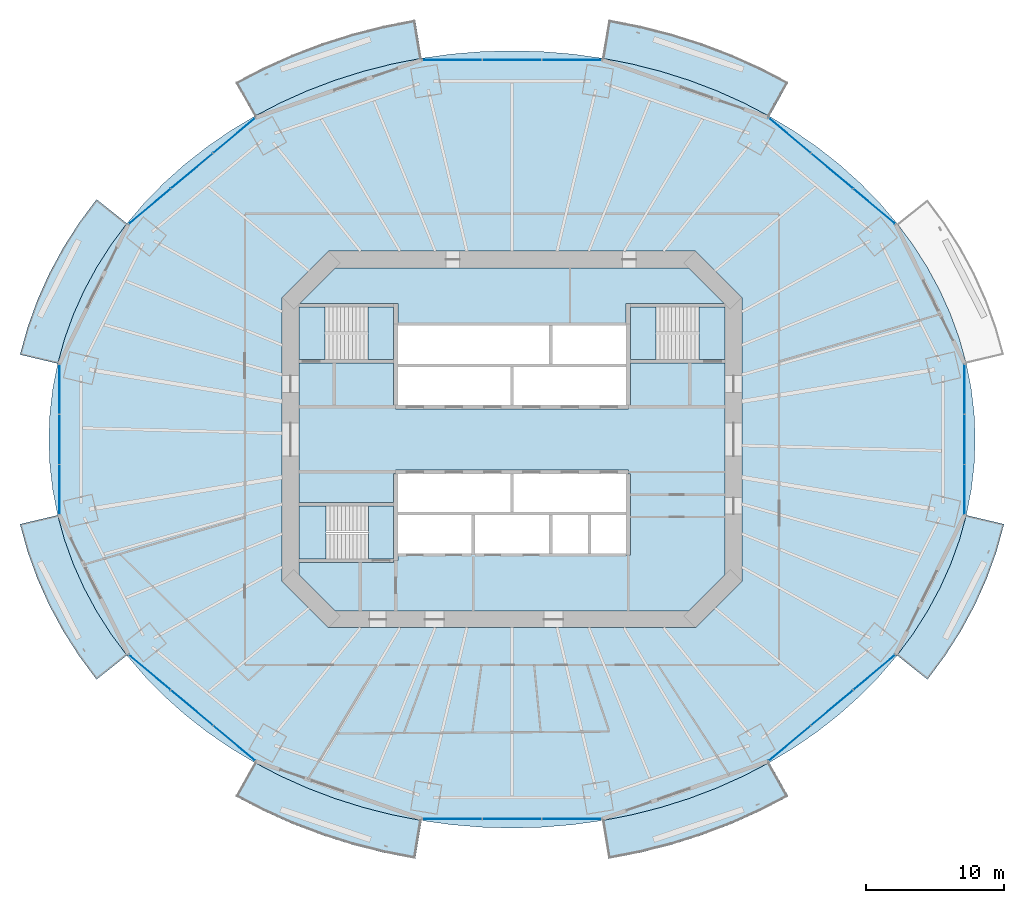
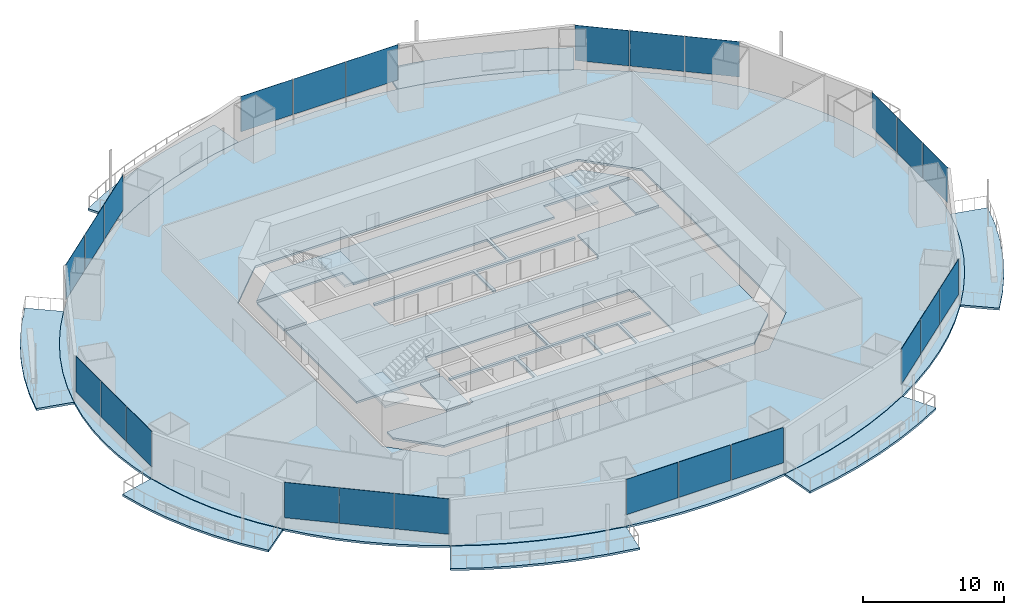
# One storey, part 11 of 20: 24 plates, 16 slabs, 11 elements without a shape of their own.
"""IFC4 building model written with IfcOpenShell, lengths in metres."""

from ifc_helpers import new_model, si_unit, direction, frame, origin, origin_2d, place, context, subcontext, project, spatial, polyline, rectangle, outline, extrude, material, layer, layer_set, type_object, element, aggregate, save


model = new_model("IFC4")

# Units and contexts
model_context = context("Model", 3, precision=1e-05, world=origin(), true_north=direction((0.0, 1.0)))
body_context = subcontext(model_context, "Body", "Model", "MODEL_VIEW")
ifc_project = project(units=[si_unit("LENGTHUNIT", "METRE"), si_unit("AREAUNIT", "SQUARE_METRE"), si_unit("VOLUMEUNIT", "CUBIC_METRE"), si_unit("PLANEANGLEUNIT", "RADIAN"), si_unit("MASSUNIT", "GRAM", prefix="KILO")], contexts=[model_context])

# Site, building, storey
site_placement = place(None, origin())
site = spatial("IfcSite", under=ifc_project, at=site_placement, CompositionType="ELEMENT")
building_placement = place(site_placement, origin())
building = spatial("IfcBuilding", under=site, at=building_placement, Name="Marenthal Gate Tower", CompositionType="ELEMENT")
storey_placement = place(building_placement, frame((0.0, 0.0, 132.60009765625)))
storey = spatial("IfcBuildingStorey", under=building, at=storey_placement, Name="L28", CompositionType="ELEMENT", Elevation=132.60009765625)

# Slabs
ifc_material_1 = material(Name="Concrete 40 MPa", Category="concrete")
ifc_layer_1 = layer(ifc_material_1, 0.179931640625)
ifc_layer_set_1 = layer_set([ifc_layer_1], Name="Balcony deck 180")
slab_type_1 = type_object("IfcSlabType", Name="Balcony deck 180", PredefinedType="USERDEFINED", material=ifc_layer_set_1)
slab_1_placement = place(storey_placement, frame((0.0, 0.0, -0.22021484375)))
element("IfcSlab", 1, at=slab_1_placement, inside=storey, type_object=slab_type_1, Name="Balcony deck L28 bay 3", ObjectType="BALCONY", PredefinedType="USERDEFINED", context=body_context, shape_type="SweptSolid", body=[
    extrude(outline(polyline([(18.590576171875, 23.34521484375), (16.73095703125, 24.3154296875), (14.7998046875, 25.181396484375), (12.805419921875, 25.939697265625), (10.756103515625, 26.5869140625), (8.66064453125, 27.120361328125), (6.528076171875, 27.53759765625), (6.989013671875, 30.29931640625), (9.27490234375, 29.85205078125), (11.52294921875, 29.27978515625), (13.724609375, 28.584716796875), (15.870361328125, 27.768798828125), (17.95166015625, 26.835205078125), (19.959716796875, 25.78759765625), (18.590576171875, 23.34521484375)])), origin(), (0.0, 0.0, 1.0), 0.18017578125),
])
slab_2_placement = place(storey_placement, frame((0.0, 0.0, -0.22021484375)))
element("IfcSlab", 2, at=slab_2_placement, inside=storey, type_object=slab_type_1, Name="Balcony deck L28 bay 5", ObjectType="BALCONY", PredefinedType="USERDEFINED", context=body_context, shape_type="SweptSolid", body=[
    extrude(outline(polyline([(-6.528076171875, 27.53759765625), (-8.66064453125, 27.120361328125), (-10.756103515625, 26.5869140625), (-12.805419921875, 25.939697265625), (-14.7998046875, 25.181396484375), (-16.73095703125, 24.3154296875), (-18.590576171875, 23.34521484375), (-19.959716796875, 25.78759765625), (-17.95166015625, 26.835205078125), (-15.870361328125, 27.768798828125), (-13.724609375, 28.584716796875), (-11.52294921875, 29.27978515625), (-9.27490234375, 29.85205078125), (-6.989013671875, 30.29931640625), (-6.528076171875, 27.53759765625)])), origin(), (0.0, 0.0, 1.0), 0.18017578125),
])
slab_3_placement = place(storey_placement, frame((0.0, 0.0, -0.22021484375)))
element("IfcSlab", 3, at=slab_3_placement, inside=storey, type_object=slab_type_1, Name="Balcony deck L28 bay 7", ObjectType="BALCONY", PredefinedType="USERDEFINED", context=body_context, shape_type="SweptSolid", body=[
    extrude(outline(polyline([(-27.822509765625, 15.5986328125), (-28.97900390625, 14.03857421875), (-30.01123046875, 12.418212890625), (-30.914794921875, 10.74462890625), (-31.686279296875, 9.025146484375), (-32.32177734375, 7.266845703125), (-32.819091796875, 5.4775390625), (-35.54345703125, 6.12353515625), (-34.989013671875, 8.11865234375), (-34.28173828125, 10.0751953125), (-33.425537109375, 11.984130859375), (-32.425048828125, 13.8369140625), (-31.28564453125, 15.625732421875), (-30.012939453125, 17.343017578125), (-27.822509765625, 15.5986328125)])), origin(), (0.0, 0.0, 1.0), 0.18017578125),
])
slab_4_placement = place(storey_placement, frame((0.0, 0.0, -0.22021484375)))
element("IfcSlab", 4, at=slab_4_placement, inside=storey, type_object=slab_type_1, Name="Balcony deck L28 bay 9", ObjectType="BALCONY", PredefinedType="USERDEFINED", context=body_context, shape_type="SweptSolid", body=[
    extrude(outline(polyline([(-32.819091796875, -5.4775390625), (-32.32177734375, -7.266845703125), (-31.686279296875, -9.025146484375), (-30.914794921875, -10.74462890625), (-30.01123046875, -12.418212890625), (-28.97900390625, -14.03857421875), (-27.822509765625, -15.5986328125), (-30.012939453125, -17.343017578125), (-31.28564453125, -15.625732421875), (-32.425048828125, -13.8369140625), (-33.425537109375, -11.984130859375), (-34.28173828125, -10.0751953125), (-34.989013671875, -8.11865234375), (-35.54345703125, -6.12353515625), (-32.819091796875, -5.4775390625)])), origin(), (0.0, 0.0, 1.0), 0.18017578125),
])
slab_5_placement = place(storey_placement, frame((0.0, 0.0, -0.22021484375)))
element("IfcSlab", 5, at=slab_5_placement, inside=storey, type_object=slab_type_1, Name="Balcony deck L28 bay 11", ObjectType="BALCONY", PredefinedType="USERDEFINED", context=body_context, shape_type="SweptSolid", body=[
    extrude(outline(polyline([(-18.590576171875, -23.34521484375), (-16.73095703125, -24.3154296875), (-14.7998046875, -25.181396484375), (-12.805419921875, -25.939697265625), (-10.756103515625, -26.5869140625), (-8.66064453125, -27.120361328125), (-6.528076171875, -27.53759765625), (-6.989013671875, -30.29931640625), (-9.27490234375, -29.85205078125), (-11.52294921875, -29.27978515625), (-13.724609375, -28.584716796875), (-15.870361328125, -27.768798828125), (-17.95166015625, -26.835205078125), (-19.959716796875, -25.78759765625), (-18.590576171875, -23.34521484375)])), origin(), (0.0, 0.0, 1.0), 0.18017578125),
])
slab_6_placement = place(storey_placement, frame((0.0, 0.0, -0.22021484375)))
element("IfcSlab", 6, at=slab_6_placement, inside=storey, type_object=slab_type_1, Name="Balcony deck L28 bay 13", ObjectType="BALCONY", PredefinedType="USERDEFINED", context=body_context, shape_type="SweptSolid", body=[
    extrude(outline(polyline([(6.528076171875, -27.53759765625), (8.66064453125, -27.120361328125), (10.756103515625, -26.5869140625), (12.805419921875, -25.939697265625), (14.7998046875, -25.181396484375), (16.73095703125, -24.3154296875), (18.590576171875, -23.34521484375), (19.959716796875, -25.78759765625), (17.95166015625, -26.835205078125), (15.870361328125, -27.768798828125), (13.724609375, -28.584716796875), (11.52294921875, -29.27978515625), (9.27490234375, -29.85205078125), (6.989013671875, -30.29931640625), (6.528076171875, -27.53759765625)])), origin(), (0.0, 0.0, 1.0), 0.18017578125),
])
slab_7_placement = place(storey_placement, frame((0.0, 0.0, -0.22021484375)))
element("IfcSlab", 7, at=slab_7_placement, inside=storey, type_object=slab_type_1, Name="Balcony deck L28 bay 15", ObjectType="BALCONY", PredefinedType="USERDEFINED", context=body_context, shape_type="SweptSolid", body=[
    extrude(outline(polyline([(27.822509765625, -15.5986328125), (28.97900390625, -14.03857421875), (30.01123046875, -12.418212890625), (30.914794921875, -10.74462890625), (31.686279296875, -9.025146484375), (32.32177734375, -7.266845703125), (32.819091796875, -5.4775390625), (35.54345703125, -6.12353515625), (34.989013671875, -8.11865234375), (34.28173828125, -10.0751953125), (33.425537109375, -11.984130859375), (32.425048828125, -13.8369140625), (31.28564453125, -15.625732421875), (30.012939453125, -17.343017578125), (27.822509765625, -15.5986328125)])), origin(), (0.0, 0.0, 1.0), 0.18017578125),
])
ifc_material_2 = material(Name="Concrete 50 MPa", Category="concrete")
ifc_layer_2 = layer(ifc_material_2, 0.179931640625)
ifc_layer_set_2 = layer_set([ifc_layer_2], Name="Core floor slab 180")
slab_type_2 = type_object("IfcSlabType", Name="Core floor slab 180", PredefinedType="FLOOR", material=ifc_layer_set_2)
slab_8_placement = place(storey_placement, frame((0.0, 0.0, -0.18017578125)))
element("IfcSlab", 8, at=slab_8_placement, inside=storey, type_object=slab_type_2, Name="Core floor L28", PredefinedType="FLOOR", context=body_context, shape_type="SweptSolid", body=[
    extrude(outline(polyline([(15.39990234375, -9.75146484375), (12.75146484375, -12.39990234375), (-12.75146484375, -12.39990234375), (-15.39990234375, -9.75146484375), (-15.39990234375, -8.875), (-8.550048828125, -8.875), (-8.550048828125, -8.75), (-8.25, -8.75), (-8.25, -8.239990234375), (-5.60009765625, -8.239990234375), (-2.909912109375, -8.239990234375), (-2.909912109375, -5.4599609375), (-5.60009765625, -5.4599609375), (-8.25, -5.4599609375), (-8.25, -5.239990234375), (-5.60009765625, -5.239990234375), (-2.800048828125, -5.239990234375), (-0.110107421875, -5.239990234375), (-0.110107421875, -2.5), (0.110107421875, -2.5), (0.110107421875, -5.239990234375), (2.800048828125, -5.239990234375), (5.60009765625, -5.239990234375), (8.25, -5.239990234375), (8.25, -5.4599609375), (5.7099609375, -5.4599609375), (5.7099609375, -8.239990234375), (8.25, -8.239990234375), (8.25, -8.35009765625), (8.550048828125, -8.35009765625), (8.550048828125, -2.5), (8.39990234375, -2.5), (8.39990234375, -2.199951171875), (-8.39990234375, -2.199951171875), (-8.39990234375, -2.5), (-8.550048828125, -2.5), (-8.550048828125, -4.574951171875), (-15.39990234375, -4.574951171875), (-15.39990234375, 5.52490234375), (-8.550048828125, 5.52490234375), (-8.550048828125, 2.5), (-8.39990234375, 2.5), (-8.39990234375, 2.199951171875), (8.39990234375, 2.199951171875), (8.39990234375, 2.5), (8.550048828125, 2.5), (8.550048828125, 5.52490234375), (15.39990234375, 5.52490234375), (15.39990234375, -9.75146484375)]), holes=[polyline([(2.68994140625, -5.4599609375), (0.0, -5.4599609375), (-2.68994140625, -5.4599609375), (-2.68994140625, -8.239990234375), (0.0, -8.239990234375), (2.68994140625, -8.239990234375), (2.68994140625, -5.4599609375)]), polyline([(5.489990234375, -5.4599609375), (2.909912109375, -5.4599609375), (2.909912109375, -8.239990234375), (5.489990234375, -8.239990234375), (5.489990234375, -5.4599609375)])]), origin(), (0.0, 0.0, 1.0), 0.18017578125),
])
slab_9_placement = place(storey_placement, frame((0.0, 0.0, -0.18017578125)))
element("IfcSlab", 9, at=slab_9_placement, inside=storey, type_object=slab_type_2, Name="Core floor L28", PredefinedType="FLOOR", context=body_context, shape_type="SweptSolid", body=[
    extrude(outline(polyline([(15.39990234375, 5.77490234375), (13.5, 5.77490234375), (13.5, 9.574951171875), (15.39990234375, 9.574951171875), (15.39990234375, 5.77490234375)])), origin(), (0.0, 0.0, 1.0), 0.18017578125),
])
slab_10_placement = place(storey_placement, frame((0.0, 0.0, -0.18017578125)))
element("IfcSlab", 10, at=slab_10_placement, inside=storey, type_object=slab_type_2, Name="Core floor L28", PredefinedType="FLOOR", context=body_context, shape_type="SweptSolid", body=[
    extrude(outline(polyline([(12.75146484375, 12.39990234375), (15.326416015625, 9.824951171875), (8.550048828125, 9.824951171875), (8.25, 9.824951171875), (8.25, 8.35009765625), (8.25, 8.239990234375), (5.60009765625, 8.239990234375), (2.909912109375, 8.239990234375), (2.909912109375, 5.4599609375), (5.60009765625, 5.4599609375), (8.25, 5.4599609375), (8.25, 5.239990234375), (5.60009765625, 5.239990234375), (2.800048828125, 5.239990234375), (0.110107421875, 5.239990234375), (0.110107421875, 2.5), (-0.110107421875, 2.5), (-0.110107421875, 5.239990234375), (-2.800048828125, 5.239990234375), (-5.60009765625, 5.239990234375), (-8.25, 5.239990234375), (-8.25, 5.4599609375), (-5.60009765625, 5.4599609375), (-2.800048828125, 5.4599609375), (0.0, 5.4599609375), (2.68994140625, 5.4599609375), (2.68994140625, 8.239990234375), (0.0, 8.239990234375), (-2.800048828125, 8.239990234375), (-5.60009765625, 8.239990234375), (-8.25, 8.239990234375), (-8.25, 8.35009765625), (-8.25, 9.824951171875), (-8.550048828125, 9.824951171875), (-15.326416015625, 9.824951171875), (-12.75146484375, 12.39990234375), (12.75146484375, 12.39990234375)])), origin(), (0.0, 0.0, 1.0), 0.18017578125),
])
slab_11_placement = place(storey_placement, frame((0.0, 0.0, -0.18017578125)))
element("IfcSlab", 11, at=slab_11_placement, inside=storey, type_object=slab_type_2, Name="Core floor L28", PredefinedType="FLOOR", context=body_context, shape_type="SweptSolid", body=[
    extrude(outline(polyline([(-15.39990234375, 9.574951171875), (-13.5, 9.574951171875), (-13.5, 5.77490234375), (-15.39990234375, 5.77490234375), (-15.39990234375, 9.574951171875)])), origin(), (0.0, 0.0, 1.0), 0.18017578125),
])
slab_12_placement = place(storey_placement, frame((0.0, 0.0, -0.18017578125)))
element("IfcSlab", 12, at=slab_12_placement, inside=storey, type_object=slab_type_2, Name="Core floor L28", PredefinedType="FLOOR", context=body_context, shape_type="SweptSolid", body=[
    extrude(outline(polyline([(-8.550048828125, -8.625), (-10.35009765625, -8.625), (-10.35009765625, -4.824951171875), (-8.550048828125, -4.824951171875), (-8.550048828125, -8.625)])), origin(), (0.0, 0.0, 1.0), 0.18017578125),
])
ifc_material_3 = material(Name="Concrete 35 MPa", Category="concrete")
ifc_layer_3 = layer(ifc_material_3, 0.179931640625)
ifc_layer_set_3 = layer_set([ifc_layer_3], Name="Floor slab 180")
slab_type_3 = type_object("IfcSlabType", Name="Floor slab 180", PredefinedType="FLOOR", material=ifc_layer_set_3)
slab_13_placement = place(storey_placement, frame((0.0, 0.0, -0.18017578125)))
element("IfcSlab", 13, at=slab_13_placement, inside=storey, type_object=slab_type_3, Name="SL-L28-01", PredefinedType="FLOOR", context=body_context, shape_type="SweptSolid", body=[
    extrude(outline(polyline([(33.4619140625, 0.0), (33.390380859375, 1.836181640625), (33.17578125, 3.664794921875), (32.819091796875, 5.4775390625), (32.32177734375, 7.266845703125), (31.686279296875, 9.025146484375), (30.914794921875, 10.74462890625), (30.01123046875, 12.418212890625), (28.97900390625, 14.03857421875), (27.822509765625, 15.5986328125), (26.547119140625, 17.09228515625), (25.158203125, 18.512451171875), (23.6611328125, 19.853515625), (22.06298828125, 21.109375), (20.370361328125, 22.27490234375), (18.590576171875, 23.34521484375), (16.73095703125, 24.3154296875), (14.7998046875, 25.181396484375), (12.805419921875, 25.939697265625), (10.756103515625, 26.5869140625), (8.66064453125, 27.120361328125), (6.528076171875, 27.53759765625), (4.36767578125, 27.8369140625), (2.1884765625, 28.016845703125), (0.0, 28.076904296875), (-2.1884765625, 28.016845703125), (-4.36767578125, 27.8369140625), (-6.528076171875, 27.53759765625), (-8.66064453125, 27.120361328125), (-10.756103515625, 26.5869140625), (-12.805419921875, 25.939697265625), (-14.7998046875, 25.181396484375), (-16.73095703125, 24.3154296875), (-18.590576171875, 23.34521484375), (-20.370361328125, 22.27490234375), (-22.06298828125, 21.109375), (-23.6611328125, 19.853515625), (-25.158203125, 18.512451171875), (-26.547119140625, 17.09228515625), (-27.822509765625, 15.5986328125), (-28.97900390625, 14.03857421875), (-30.01123046875, 12.418212890625), (-30.914794921875, 10.74462890625), (-31.686279296875, 9.025146484375), (-32.32177734375, 7.266845703125), (-32.819091796875, 5.4775390625), (-33.17578125, 3.664794921875), (-33.390380859375, 1.836181640625), (-33.4619140625, 0.0), (-33.390380859375, -1.836181640625), (-33.17578125, -3.664794921875), (-32.819091796875, -5.4775390625), (-32.32177734375, -7.266845703125), (-31.686279296875, -9.025146484375), (-30.914794921875, -10.74462890625), (-30.01123046875, -12.418212890625), (-28.97900390625, -14.03857421875), (-27.822509765625, -15.5986328125), (-26.547119140625, -17.09228515625), (-25.158203125, -18.512451171875), (-23.6611328125, -19.853515625), (-22.06298828125, -21.109375), (-20.370361328125, -22.27490234375), (-18.590576171875, -23.34521484375), (-16.73095703125, -24.3154296875), (-14.7998046875, -25.181396484375), (-12.805419921875, -25.939697265625), (-10.756103515625, -26.5869140625), (-8.66064453125, -27.120361328125), (-6.528076171875, -27.53759765625), (-4.36767578125, -27.8369140625), (-2.1884765625, -28.016845703125), (0.0, -28.076904296875), (2.1884765625, -28.016845703125), (4.36767578125, -27.8369140625), (6.528076171875, -27.53759765625), (8.66064453125, -27.120361328125), (10.756103515625, -26.5869140625), (12.805419921875, -25.939697265625), (14.7998046875, -25.181396484375), (16.73095703125, -24.3154296875), (18.590576171875, -23.34521484375), (20.370361328125, -22.27490234375), (22.06298828125, -21.109375), (23.6611328125, -19.853515625), (25.158203125, -18.512451171875), (26.547119140625, -17.09228515625), (27.822509765625, -15.5986328125), (28.97900390625, -14.03857421875), (30.01123046875, -12.418212890625), (30.914794921875, -10.74462890625), (31.686279296875, -9.025146484375), (32.32177734375, -7.266845703125), (32.819091796875, -5.4775390625), (33.17578125, -3.664794921875), (33.390380859375, -1.836181640625), (33.4619140625, 0.0)]), holes=[polyline([(13.24853515625, -13.60009765625), (16.60009765625, -10.24853515625), (16.60009765625, 10.24853515625), (13.24853515625, 13.60009765625), (-13.24853515625, 13.60009765625), (-16.60009765625, 10.24853515625), (-16.60009765625, -10.24853515625), (-13.24853515625, -13.60009765625), (13.24853515625, -13.60009765625)])]), origin(), (0.0, 0.0, 1.0), 0.18017578125),
])

# Curtain wall, plates
ifc_material_4 = material(Name="Aluminium and glass", Category="aluminium")
curtain_wall_type = type_object("IfcCurtainWallType", Name="Curtain wall typical low", PredefinedType="NOTDEFINED", material=ifc_material_4)
curtain_wall_1_placement = place(storey_placement, origin())
curtain_wall_1 = element("IfcCurtainWall", 14, at=curtain_wall_1_placement, inside=storey, type_object=curtain_wall_type, Name="Curtain wall L28 bay 2", PredefinedType="NOTDEFINED")
ifc_material_5 = material(Name="Glass, laminated insulating unit", Category="glass")
ifc_layer_4 = layer(ifc_material_5, 0.030029296875)
ifc_layer_set_4 = layer_set([ifc_layer_4], Name="Glass panel 30 typical low")
plate_type = type_object("IfcPlateType", Name="Glass panel 30 typical low", PredefinedType="CURTAIN_PANEL", material=ifc_layer_set_4)
plate_1_placement = place(storey_placement, frame((26.17431640625, 16.83056640625, 0.89990234375), z_axis=(0.0, 0.0, 1.0), x_axis=(-0.766276606305, 0.642510826857, 0.0)))
plate_1 = element("IfcPlate", 15, at=plate_1_placement, type_object=plate_type, Name="Glass panel L28 bay 2.1", PredefinedType="CURTAIN_PANEL", context=body_context, shape_type="SweptSolid", body=[
    extrude(rectangle(XDim=3.921630859375, YDim=0.030029296875, at=origin_2d()), origin(), (0.0, 0.0, 1.0), 3.070068359375),
])
plate_2_placement = place(storey_placement, frame((23.123291015625, 19.388671875, 0.89990234375), z_axis=(0.0, 0.0, 1.0), x_axis=(-0.766276606305, 0.642510826857, 0.0)))
plate_2 = element("IfcPlate", 16, at=plate_2_placement, type_object=plate_type, Name="Glass panel L28 bay 2.2", PredefinedType="CURTAIN_PANEL", context=body_context, shape_type="SweptSolid", body=[
    extrude(rectangle(XDim=3.921630859375, YDim=0.030029296875, at=origin_2d()), origin(), (0.0, 0.0, 1.0), 3.070068359375),
])
plate_3_placement = place(storey_placement, frame((20.072265625, 21.947021484375, 0.89990234375), z_axis=(0.0, 0.0, 1.0), x_axis=(-0.766276606305, 0.642510826857, 0.0)))
plate_3 = element("IfcPlate", 17, at=plate_3_placement, type_object=plate_type, Name="Glass panel L28 bay 2.3", PredefinedType="CURTAIN_PANEL", context=body_context, shape_type="SweptSolid", body=[
    extrude(rectangle(XDim=3.921630859375, YDim=0.030029296875, at=origin_2d()), origin(), (0.0, 0.0, 1.0), 3.070068359375),
])
aggregate(curtain_wall_1, [plate_1, plate_2, plate_3])

curtain_wall_2_placement = place(storey_placement, origin())
curtain_wall_2 = element("IfcCurtainWall", 18, at=curtain_wall_2_placement, inside=storey, type_object=curtain_wall_type, Name="Curtain wall L28 bay 4", PredefinedType="NOTDEFINED")
plate_4_placement = place(storey_placement, frame((4.31640625, 27.419921875, 0.89990234375), z_axis=(0.0, 0.0, 1.0), x_axis=(-1.0, 0.0, 0.0)))
plate_4 = element("IfcPlate", 19, at=plate_4_placement, type_object=plate_type, Name="Glass panel L28 bay 4.1", PredefinedType="CURTAIN_PANEL", context=body_context, shape_type="SweptSolid", body=[
    extrude(rectangle(XDim=4.256591796875, YDim=0.030029296875, at=origin_2d()), origin(), (0.0, 0.0, 1.0), 3.070068359375),
])
plate_5_placement = place(storey_placement, frame((0.0, 27.419921875, 0.89990234375), z_axis=(0.0, 0.0, 1.0), x_axis=(-1.0, 0.0, 0.0)))
plate_5 = element("IfcPlate", 20, at=plate_5_placement, type_object=plate_type, Name="Glass panel L28 bay 4.2", PredefinedType="CURTAIN_PANEL", context=body_context, shape_type="SweptSolid", body=[
    extrude(rectangle(XDim=4.25634765625, YDim=0.030029296875, at=origin_2d()), origin(), (0.0, 0.0, 1.0), 3.070068359375),
])
plate_6_placement = place(storey_placement, frame((-4.31640625, 27.419921875, 0.89990234375), z_axis=(0.0, 0.0, 1.0), x_axis=(-1.0, 0.0, 0.0)))
plate_6 = element("IfcPlate", 21, at=plate_6_placement, type_object=plate_type, Name="Glass panel L28 bay 4.3", PredefinedType="CURTAIN_PANEL", context=body_context, shape_type="SweptSolid", body=[
    extrude(rectangle(XDim=4.256591796875, YDim=0.030029296875, at=origin_2d()), origin(), (0.0, 0.0, 1.0), 3.070068359375),
])
aggregate(curtain_wall_2, [plate_4, plate_5, plate_6])

curtain_wall_3_placement = place(storey_placement, origin())
curtain_wall_3 = element("IfcCurtainWall", 22, at=curtain_wall_3_placement, inside=storey, type_object=curtain_wall_type, Name="Curtain wall L28 bay 6", PredefinedType="NOTDEFINED")
plate_7_placement = place(storey_placement, frame((-20.072265625, 21.947021484375, 0.89990234375), z_axis=(0.0, 0.0, 1.0), x_axis=(-0.766276606305, -0.642510826857, 0.0)))
plate_7 = element("IfcPlate", 23, at=plate_7_placement, type_object=plate_type, Name="Glass panel L28 bay 6.1", PredefinedType="CURTAIN_PANEL", context=body_context, shape_type="SweptSolid", body=[
    extrude(rectangle(XDim=3.921630859375, YDim=0.030029296875, at=origin_2d()), origin(), (0.0, 0.0, 1.0), 3.070068359375),
])
plate_8_placement = place(storey_placement, frame((-23.123291015625, 19.388671875, 0.89990234375), z_axis=(0.0, 0.0, 1.0), x_axis=(-0.766276606305, -0.642510826857, 0.0)))
plate_8 = element("IfcPlate", 24, at=plate_8_placement, type_object=plate_type, Name="Glass panel L28 bay 6.2", PredefinedType="CURTAIN_PANEL", context=body_context, shape_type="SweptSolid", body=[
    extrude(rectangle(XDim=3.921630859375, YDim=0.030029296875, at=origin_2d()), origin(), (0.0, 0.0, 1.0), 3.070068359375),
])
plate_9_placement = place(storey_placement, frame((-26.17431640625, 16.83056640625, 0.89990234375), z_axis=(0.0, 0.0, 1.0), x_axis=(-0.766276606305, -0.642510826857, 0.0)))
plate_9 = element("IfcPlate", 25, at=plate_9_placement, type_object=plate_type, Name="Glass panel L28 bay 6.3", PredefinedType="CURTAIN_PANEL", context=body_context, shape_type="SweptSolid", body=[
    extrude(rectangle(XDim=3.921630859375, YDim=0.030029296875, at=origin_2d()), origin(), (0.0, 0.0, 1.0), 3.070068359375),
])
aggregate(curtain_wall_3, [plate_7, plate_8, plate_9])

curtain_wall_4_placement = place(storey_placement, origin())
curtain_wall_4 = element("IfcCurtainWall", 26, at=curtain_wall_4_placement, inside=storey, type_object=curtain_wall_type, Name="Curtain wall L28 bay 8", PredefinedType="NOTDEFINED")
plate_10_placement = place(storey_placement, frame((-32.701416015625, 3.615966796875, 0.89990234375), z_axis=(0.0, 0.0, 1.0), x_axis=(0.0, -1.0, 0.0)))
plate_10 = element("IfcPlate", 27, at=plate_10_placement, type_object=plate_type, Name="Glass panel L28 bay 8.1", PredefinedType="CURTAIN_PANEL", context=body_context, shape_type="SweptSolid", body=[
    extrude(rectangle(XDim=3.55615234375, YDim=0.030029296875, at=origin_2d()), origin(), (0.0, 0.0, 1.0), 3.070068359375),
])
plate_11_placement = place(storey_placement, frame((-32.701416015625, 0.0, 0.89990234375), z_axis=(0.0, 0.0, 1.0), x_axis=(0.0, -1.0, 0.0)))
plate_11 = element("IfcPlate", 28, at=plate_11_placement, type_object=plate_type, Name="Glass panel L28 bay 8.2", PredefinedType="CURTAIN_PANEL", context=body_context, shape_type="SweptSolid", body=[
    extrude(rectangle(XDim=3.555908203125, YDim=0.030029296875, at=origin_2d()), origin(), (0.0, 0.0, 1.0), 3.070068359375),
])
plate_12_placement = place(storey_placement, frame((-32.701416015625, -3.615966796875, 0.89990234375), z_axis=(0.0, 0.0, 1.0), x_axis=(0.0, -1.0, 0.0)))
plate_12 = element("IfcPlate", 29, at=plate_12_placement, type_object=plate_type, Name="Glass panel L28 bay 8.3", PredefinedType="CURTAIN_PANEL", context=body_context, shape_type="SweptSolid", body=[
    extrude(rectangle(XDim=3.55615234375, YDim=0.030029296875, at=origin_2d()), origin(), (0.0, 0.0, 1.0), 3.070068359375),
])
aggregate(curtain_wall_4, [plate_10, plate_11, plate_12])

curtain_wall_5_placement = place(storey_placement, origin())
curtain_wall_5 = element("IfcCurtainWall", 30, at=curtain_wall_5_placement, inside=storey, type_object=curtain_wall_type, Name="Curtain wall L28 bay 10", PredefinedType="NOTDEFINED")
plate_13_placement = place(storey_placement, frame((-26.17431640625, -16.83056640625, 0.89990234375), z_axis=(0.0, 0.0, 1.0), x_axis=(0.766276606305, -0.642510826857, 0.0)))
plate_13 = element("IfcPlate", 31, at=plate_13_placement, type_object=plate_type, Name="Glass panel L28 bay 10.1", PredefinedType="CURTAIN_PANEL", context=body_context, shape_type="SweptSolid", body=[
    extrude(rectangle(XDim=3.921630859375, YDim=0.030029296875, at=origin_2d()), origin(), (0.0, 0.0, 1.0), 3.070068359375),
])
plate_14_placement = place(storey_placement, frame((-23.123291015625, -19.388671875, 0.89990234375), z_axis=(0.0, 0.0, 1.0), x_axis=(0.766276606305, -0.642510826857, 0.0)))
plate_14 = element("IfcPlate", 32, at=plate_14_placement, type_object=plate_type, Name="Glass panel L28 bay 10.2", PredefinedType="CURTAIN_PANEL", context=body_context, shape_type="SweptSolid", body=[
    extrude(rectangle(XDim=3.921630859375, YDim=0.030029296875, at=origin_2d()), origin(), (0.0, 0.0, 1.0), 3.070068359375),
])
plate_15_placement = place(storey_placement, frame((-20.072265625, -21.947021484375, 0.89990234375), z_axis=(0.0, 0.0, 1.0), x_axis=(0.766276606305, -0.642510826857, 0.0)))
plate_15 = element("IfcPlate", 33, at=plate_15_placement, type_object=plate_type, Name="Glass panel L28 bay 10.3", PredefinedType="CURTAIN_PANEL", context=body_context, shape_type="SweptSolid", body=[
    extrude(rectangle(XDim=3.921630859375, YDim=0.030029296875, at=origin_2d()), origin(), (0.0, 0.0, 1.0), 3.070068359375),
])
aggregate(curtain_wall_5, [plate_13, plate_14, plate_15])

curtain_wall_6_placement = place(storey_placement, origin())
curtain_wall_6 = element("IfcCurtainWall", 34, at=curtain_wall_6_placement, inside=storey, type_object=curtain_wall_type, Name="Curtain wall L28 bay 12", PredefinedType="NOTDEFINED")
plate_16_placement = place(storey_placement, frame((-4.31640625, -27.419921875, 0.89990234375), z_axis=(0.0, 0.0, 1.0), x_axis=(1.0, 0.0, 0.0)))
plate_16 = element("IfcPlate", 35, at=plate_16_placement, type_object=plate_type, Name="Glass panel L28 bay 12.1", PredefinedType="CURTAIN_PANEL", context=body_context, shape_type="SweptSolid", body=[
    extrude(rectangle(XDim=4.256591796875, YDim=0.030029296875, at=origin_2d()), origin(), (0.0, 0.0, 1.0), 3.070068359375),
])
plate_17_placement = place(storey_placement, frame((0.0, -27.419921875, 0.89990234375), z_axis=(0.0, 0.0, 1.0), x_axis=(1.0, 0.0, 0.0)))
plate_17 = element("IfcPlate", 36, at=plate_17_placement, type_object=plate_type, Name="Glass panel L28 bay 12.2", PredefinedType="CURTAIN_PANEL", context=body_context, shape_type="SweptSolid", body=[
    extrude(rectangle(XDim=4.25634765625, YDim=0.030029296875, at=origin_2d()), origin(), (0.0, 0.0, 1.0), 3.070068359375),
])
plate_18_placement = place(storey_placement, frame((4.31640625, -27.419921875, 0.89990234375), z_axis=(0.0, 0.0, 1.0), x_axis=(1.0, 0.0, 0.0)))
plate_18 = element("IfcPlate", 37, at=plate_18_placement, type_object=plate_type, Name="Glass panel L28 bay 12.3", PredefinedType="CURTAIN_PANEL", context=body_context, shape_type="SweptSolid", body=[
    extrude(rectangle(XDim=4.256591796875, YDim=0.030029296875, at=origin_2d()), origin(), (0.0, 0.0, 1.0), 3.070068359375),
])
aggregate(curtain_wall_6, [plate_16, plate_17, plate_18])

curtain_wall_7_placement = place(storey_placement, origin())
curtain_wall_7 = element("IfcCurtainWall", 38, at=curtain_wall_7_placement, inside=storey, type_object=curtain_wall_type, Name="Curtain wall L28 bay 14", PredefinedType="NOTDEFINED")
plate_19_placement = place(storey_placement, frame((20.072265625, -21.947021484375, 0.89990234375), z_axis=(0.0, 0.0, 1.0), x_axis=(0.766276606305, 0.642510826857, 0.0)))
plate_19 = element("IfcPlate", 39, at=plate_19_placement, type_object=plate_type, Name="Glass panel L28 bay 14.1", PredefinedType="CURTAIN_PANEL", context=body_context, shape_type="SweptSolid", body=[
    extrude(rectangle(XDim=3.921630859375, YDim=0.030029296875, at=origin_2d()), origin(), (0.0, 0.0, 1.0), 3.070068359375),
])
plate_20_placement = place(storey_placement, frame((23.123291015625, -19.388671875, 0.89990234375), z_axis=(0.0, 0.0, 1.0), x_axis=(0.766276606305, 0.642510826857, 0.0)))
plate_20 = element("IfcPlate", 40, at=plate_20_placement, type_object=plate_type, Name="Glass panel L28 bay 14.2", PredefinedType="CURTAIN_PANEL", context=body_context, shape_type="SweptSolid", body=[
    extrude(rectangle(XDim=3.921630859375, YDim=0.030029296875, at=origin_2d()), origin(), (0.0, 0.0, 1.0), 3.070068359375),
])
plate_21_placement = place(storey_placement, frame((26.17431640625, -16.83056640625, 0.89990234375), z_axis=(0.0, 0.0, 1.0), x_axis=(0.766276606305, 0.642510826857, 0.0)))
plate_21 = element("IfcPlate", 41, at=plate_21_placement, type_object=plate_type, Name="Glass panel L28 bay 14.3", PredefinedType="CURTAIN_PANEL", context=body_context, shape_type="SweptSolid", body=[
    extrude(rectangle(XDim=3.921630859375, YDim=0.030029296875, at=origin_2d()), origin(), (0.0, 0.0, 1.0), 3.070068359375),
])
aggregate(curtain_wall_7, [plate_19, plate_20, plate_21])

curtain_wall_8_placement = place(storey_placement, origin())
curtain_wall_8 = element("IfcCurtainWall", 42, at=curtain_wall_8_placement, inside=storey, type_object=curtain_wall_type, Name="Curtain wall L28 bay 16", PredefinedType="NOTDEFINED")
plate_22_placement = place(storey_placement, frame((32.701416015625, -3.615966796875, 0.89990234375), z_axis=(0.0, 0.0, 1.0), x_axis=(0.0, 1.0, 0.0)))
plate_22 = element("IfcPlate", 43, at=plate_22_placement, type_object=plate_type, Name="Glass panel L28 bay 16.1", PredefinedType="CURTAIN_PANEL", context=body_context, shape_type="SweptSolid", body=[
    extrude(rectangle(XDim=3.55615234375, YDim=0.030029296875, at=origin_2d()), origin(), (0.0, 0.0, 1.0), 3.070068359375),
])
plate_23_placement = place(storey_placement, frame((32.701416015625, 0.0, 0.89990234375), z_axis=(0.0, 0.0, 1.0), x_axis=(0.0, 1.0, 0.0)))
plate_23 = element("IfcPlate", 44, at=plate_23_placement, type_object=plate_type, Name="Glass panel L28 bay 16.2", PredefinedType="CURTAIN_PANEL", context=body_context, shape_type="SweptSolid", body=[
    extrude(rectangle(XDim=3.555908203125, YDim=0.030029296875, at=origin_2d()), origin(), (0.0, 0.0, 1.0), 3.070068359375),
])
plate_24_placement = place(storey_placement, frame((32.701416015625, 3.615966796875, 0.89990234375), z_axis=(0.0, 0.0, 1.0), x_axis=(0.0, 1.0, 0.0)))
plate_24 = element("IfcPlate", 45, at=plate_24_placement, type_object=plate_type, Name="Glass panel L28 bay 16.3", PredefinedType="CURTAIN_PANEL", context=body_context, shape_type="SweptSolid", body=[
    extrude(rectangle(XDim=3.55615234375, YDim=0.030029296875, at=origin_2d()), origin(), (0.0, 0.0, 1.0), 3.070068359375),
])
aggregate(curtain_wall_8, [plate_22, plate_23, plate_24])

# Stair, slab
ifc_material_6 = material(Name="Concrete 40 MPa", Category="concrete")
stair_type = type_object("IfcStairType", Name="Exit stair 1800", PredefinedType="HALF_TURN_STAIR", material=ifc_material_6)
stair_1_placement = place(storey_placement, origin())
stair_1 = element("IfcStair", 46, at=stair_1_placement, inside=storey, type_object=stair_type, Name="Stair ST1", PredefinedType="HALF_TURN_STAIR")
ifc_material_7 = material(Name="Concrete 40 MPa", Category="concrete")
ifc_layer_5 = layer(ifc_material_7, 0.199951171875)
ifc_layer_set_5 = layer_set([ifc_layer_5], Name="Stair landing 200")
slab_type_4 = type_object("IfcSlabType", Name="Stair landing 200", PredefinedType="LANDING", material=ifc_layer_set_5)
slab_14_placement = place(storey_placement, frame((0.0, 0.0, 1.875)))
slab_14 = element("IfcSlab", 47, at=slab_14_placement, type_object=slab_type_4, Name="ST1 landing 1", PredefinedType="LANDING", context=body_context, shape_type="SweptSolid", body=[
    extrude(outline(polyline([(-10.419921875, 5.77490234375), (-8.550048828125, 5.77490234375), (-8.550048828125, 9.574951171875), (-10.419921875, 9.574951171875), (-10.419921875, 5.77490234375)])), origin(), (0.0, 0.0, 1.0), 0.199951171875),
])
aggregate(stair_1, [slab_14])

stair_2_placement = place(storey_placement, origin())
stair_2 = element("IfcStair", 48, at=stair_2_placement, inside=storey, type_object=stair_type, Name="Stair ST2", PredefinedType="HALF_TURN_STAIR")
slab_15_placement = place(storey_placement, frame((0.0, 0.0, 1.875)))
slab_15 = element("IfcSlab", 49, at=slab_15_placement, type_object=slab_type_4, Name="ST2 landing 1", PredefinedType="LANDING", context=body_context, shape_type="SweptSolid", body=[
    extrude(outline(polyline([(-15.39990234375, -8.625), (-13.429931640625, -8.625), (-13.429931640625, -4.824951171875), (-15.39990234375, -4.824951171875), (-15.39990234375, -8.625)])), origin(), (0.0, 0.0, 1.0), 0.199951171875),
])
aggregate(stair_2, [slab_15])

stair_3_placement = place(storey_placement, origin())
stair_3 = element("IfcStair", 50, at=stair_3_placement, inside=storey, type_object=stair_type, Name="Stair ST3", PredefinedType="HALF_TURN_STAIR")
slab_16_placement = place(storey_placement, frame((0.0, 0.0, 1.875)))
slab_16 = element("IfcSlab", 51, at=slab_16_placement, type_object=slab_type_4, Name="ST3 landing 1", PredefinedType="LANDING", context=body_context, shape_type="SweptSolid", body=[
    extrude(outline(polyline([(8.550048828125, 5.77490234375), (10.419921875, 5.77490234375), (10.419921875, 9.574951171875), (8.550048828125, 9.574951171875), (8.550048828125, 5.77490234375)])), origin(), (0.0, 0.0, 1.0), 0.199951171875),
])
aggregate(stair_3, [slab_16])

save(model, "model.ifc")
